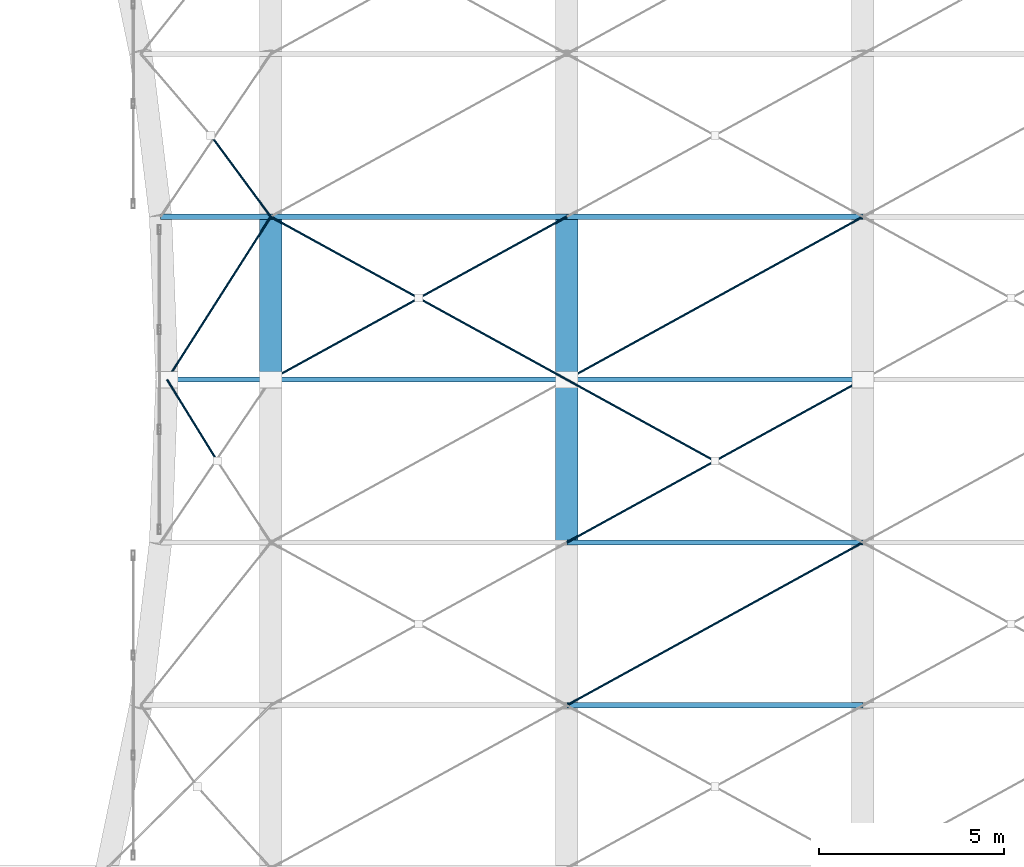
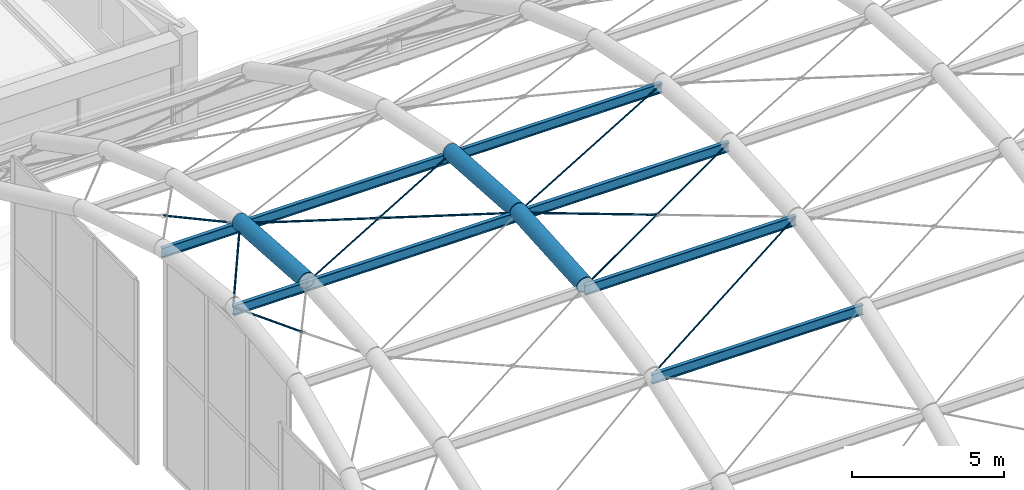
# One storey, part 38 of 126: 11 beams, 10 members.
"""IFC4 building model written with IfcOpenShell, lengths in metres."""

from ifc_helpers import new_model, si_unit, direction, frame, origin, origin_2d, place, context, subcontext, project, spatial, circle, hollow_circle, i_section, extrude, material, material_profile, profile_set, type_object, element, save


model = new_model("IFC4")

# Units and contexts
model_context = context("Model", 3, precision=1e-05, world=origin(), true_north=direction((0.0, 1.0)))
body_context = subcontext(model_context, "Body", "Model", "MODEL_VIEW")
ifc_project = project(units=[si_unit("LENGTHUNIT", "METRE"), si_unit("AREAUNIT", "SQUARE_METRE"), si_unit("VOLUMEUNIT", "CUBIC_METRE"), si_unit("PLANEANGLEUNIT", "RADIAN"), si_unit("MASSUNIT", "GRAM", prefix="KILO")], contexts=[model_context])

# Site, building, storey
site_placement = place(None, origin())
site = spatial("IfcSite", under=ifc_project, at=site_placement, CompositionType="ELEMENT")
building_placement = place(site_placement, origin())
building = spatial("IfcBuilding", under=site, at=building_placement, Name="Varnabhumi Central Station", CompositionType="ELEMENT")
storey_placement = place(building_placement, frame((0.0, 0.0, 16.199951171875)))
storey = spatial("IfcBuildingStorey", under=building, at=storey_placement, Name="L03", CompositionType="ELEMENT", Elevation=16.199951171875)

# Beams
ifc_material_1 = material(Name="Structural steel E450", Category="steel")
ifc_material_profile_1 = material_profile(ifc_material_1, hollow_circle(Radius=0.304931640625, WallThickness=0.02490234375, at=origin_2d()), Name="Structural steel E450", Category="steel")
ifc_profile_set_1 = profile_set([ifc_material_profile_1], Name="Structural steel E450")
beam_type_1 = type_object("IfcBeamType", Name="BM-ARCH-CHS610", PredefinedType="BEAM", material=ifc_profile_set_1)
for number, where, z_axis, x_axis, name in (
    (1, (136.0, 58.0, 10.150146484375), (0.0, 0.997727714155, -0.067375131957), (-1.0, 0.0, 0.0), "Platform Train-Shed Vault Arch Rib 2 Seg 6"),
    (2, (144.0, 53.60009765625, 9.85302734375), (0.0, 0.997727714155, 0.067375131957), (-1.0, 0.0, 0.0), "Platform Train-Shed Vault Arch Rib 3 Seg 5"),
    (3, (144.0, 58.0, 10.150146484375), (0.0, 0.997727714155, -0.067375131957), (-1.0, 0.0, 0.0), "Platform Train-Shed Vault Arch Rib 3 Seg 6"),
):
    element("IfcBeam", number, at=place(storey_placement, frame(where, z_axis=z_axis, x_axis=x_axis)), inside=storey, type_object=beam_type_1, Name=name, PredefinedType="BEAM", context=body_context, shape_type="SweptSolid", body=[
        extrude(hollow_circle(Radius=0.304931640625, WallThickness=0.02490234375, at=origin_2d()), origin(), (0.0, 0.0, 1.0), 4.409912109375),
    ])
ifc_material_2 = material(Name="Structural steel E350", Category="steel")
ifc_material_profile_2 = material_profile(ifc_material_2, i_section(OverallWidth=0.139892578125, OverallDepth=0.39990234375, WebThickness=0.0087890625, FlangeThickness=0.01611328125, FilletRadius=0.013916015625, at=origin_2d()), Name="Structural steel E350", Category="steel")
ifc_profile_set_2 = profile_set([ifc_material_profile_2], Name="Structural steel E350")
beam_type_2 = type_object("IfcBeamType", Name="BM-PUR-ISMB400", PredefinedType="LINTEL", material=ifc_profile_set_2)
beam_1_placement = place(storey_placement, frame((133.199951171875, 58.0, 9.949951171875), z_axis=(1.0, 0.0, 0.0), x_axis=(0.0, 1.0, 0.0)))
element("IfcBeam", 4, at=beam_1_placement, inside=storey, type_object=beam_type_2, Name="Platform Train-Shed Vault Purlin B1-L5", PredefinedType="LINTEL", context=body_context, shape_type="SweptSolid", body=[
    extrude(i_section(OverallWidth=0.139892578125, OverallDepth=0.39990234375, WebThickness=0.0087890625, FlangeThickness=0.01611328125, FilletRadius=0.013916015625, at=origin_2d()), origin(), (0.0, 0.0, 1.0), 2.800048828125),
])
beam_2_placement = place(storey_placement, frame((133.0244140625, 62.39990234375, 9.65283203125), z_axis=(1.0, 0.0, 0.0), x_axis=(0.0, 1.0, 0.0)))
element("IfcBeam", 5, at=beam_2_placement, inside=storey, type_object=beam_type_2, Name="Platform Train-Shed Vault Purlin B1-L6", PredefinedType="LINTEL", context=body_context, shape_type="SweptSolid", body=[
    extrude(i_section(OverallWidth=0.139892578125, OverallDepth=0.39990234375, WebThickness=0.0087890625, FlangeThickness=0.01611328125, FilletRadius=0.013916015625, at=origin_2d()), origin(), (0.0, 0.0, 1.0), 2.9755859375),
])
for number, where, z_axis, x_axis, name in (
    (6, (136.0, 58.0, 9.949951171875), (1.0, 0.0, 0.0), (0.0, 1.0, 0.0), "Platform Train-Shed Vault Purlin B2-L5"),
    (7, (136.0, 62.39990234375, 9.65283203125), (1.0, 0.0, 0.0), (0.0, 1.0, 0.0), "Platform Train-Shed Vault Purlin B2-L6"),
    (8, (144.0, 49.199951171875, 8.7509765625), (1.0, 0.0, 0.0), (0.0, 1.0, 0.0), "Platform Train-Shed Vault Purlin B3-L3"),
    (9, (144.0, 53.60009765625, 9.65283203125), (1.0, 0.0, 0.0), (0.0, 1.0, 0.0), "Platform Train-Shed Vault Purlin B3-L4"),
    (10, (144.0, 58.0, 9.949951171875), (1.0, 0.0, 0.0), (0.0, 1.0, 0.0), "Platform Train-Shed Vault Purlin B3-L5"),
    (11, (144.0, 62.39990234375, 9.65283203125), (1.0, 0.0, 0.0), (0.0, 1.0, 0.0), "Platform Train-Shed Vault Purlin B3-L6"),
):
    element("IfcBeam", number, at=place(storey_placement, frame(where, z_axis=z_axis, x_axis=x_axis)), inside=storey, type_object=beam_type_2, Name=name, PredefinedType="LINTEL", context=body_context, shape_type="SweptSolid", body=[
        extrude(i_section(OverallWidth=0.139892578125, OverallDepth=0.39990234375, WebThickness=0.0087890625, FlangeThickness=0.01611328125, FilletRadius=0.013916015625, at=origin_2d()), origin(), (0.0, 0.0, 1.0), 8.0),
    ])

# Members
ifc_material_3 = material(Name="Spiral-strand steel S1570", Category="steel")
ifc_material_profile_3 = material_profile(ifc_material_3, circle(Radius=0.030029296875, at=origin_2d()), Name="Spiral-strand steel S1570", Category="steel")
ifc_profile_set_3 = profile_set([ifc_material_profile_3], Name="Spiral-strand steel S1570")
member_type = type_object("IfcMemberType", Name="MBR-CABLE-D60", PredefinedType="USERDEFINED", material=ifc_profile_set_3)
member_1_placement = place(storey_placement, frame((133.199951171875, 58.0, 10.070068359375), z_axis=(0.523900363856, -0.849840896256, -0.057435701456), x_axis=(0.851246126943, 0.524766644675, 0.0)))
element("IfcMember", 12, at=member_1_placement, inside=storey, type_object=member_type, Name="Platform Train-Shed Vault Cable-Net Split Tie B1-P5B1", ObjectType="TENSION CABLE", PredefinedType="USERDEFINED", context=body_context, shape_type="SweptSolid", body=[
    extrude(circle(Radius=0.030029296875, at=origin_2d()), origin(), (0.0, 0.0, 1.0), 2.588623046875),
])
member_2_placement = place(storey_placement, frame((133.199951171875, 58.0, 10.070068359375), z_axis=(0.536021472852, 0.842286074091, -0.056878379324), x_axis=(-0.843651849763, 0.536890637273, 0.0)))
element("IfcMember", 13, at=member_2_placement, inside=storey, type_object=member_type, Name="Platform Train-Shed Vault Cable-Net Tie B1-P6A", ObjectType="TENSION CABLE", PredefinedType="USERDEFINED", context=body_context, shape_type="SweptSolid", body=[
    extrude(circle(Radius=0.030029296875, at=origin_2d()), origin(), (0.0, 0.0, 1.0), 5.223876953125),
])
member_3_placement = place(storey_placement, frame((134.37890625, 64.60009765625, 9.322021484375), z_axis=(0.585261379575, -0.79433366758, 0.162797856638), x_axis=(0.805073799921, 0.593174659507, 0.0)))
element("IfcMember", 14, at=member_3_placement, inside=storey, type_object=member_type, Name="Platform Train-Shed Vault Cable-Net Split Tie B1-P7B2", ObjectType="TENSION CABLE", PredefinedType="USERDEFINED", context=body_context, shape_type="SweptSolid", body=[
    extrude(circle(Radius=0.030029296875, at=origin_2d()), origin(), (0.0, 0.0, 1.0), 2.769775390625),
])
member_4_placement = place(storey_placement, frame((136.0, 58.0, 10.070068359375), z_axis=(0.875756821788, 0.481655561592, -0.032525514286), x_axis=(-0.481910537812, 0.876220425204, 0.0)))
element("IfcMember", 15, at=member_4_placement, inside=storey, type_object=member_type, Name="Platform Train-Shed Vault Cable-Net Tie B2-P6A", ObjectType="TENSION CABLE", PredefinedType="USERDEFINED", context=body_context, shape_type="SweptSolid", body=[
    extrude(circle(Radius=0.030029296875, at=origin_2d()), origin(), (0.0, 0.0, 1.0), 9.135009765625),
])
for number, where, z_axis, x_axis, name in (
    (16, (136.0, 62.39990234375, 9.77294921875), (0.87575758275, -0.481655980113, 0.032498816547), (0.481910537812, 0.876220425204, 0.0), "Platform Train-Shed Vault Cable-Net Split Tie B2-P6B1"),
    (17, (140.0, 60.199951171875, 9.92138671875), (0.875756060201, -0.481655142729, 0.032552211955), (0.481910537812, 0.876220425204, 0.0), "Platform Train-Shed Vault Cable-Net Split Tie B2-P6B2"),
):
    element("IfcMember", number, at=place(storey_placement, frame(where, z_axis=z_axis, x_axis=x_axis)), inside=storey, type_object=member_type, Name=name, ObjectType="TENSION CABLE", PredefinedType="USERDEFINED", context=body_context, shape_type="SweptSolid", body=[
        extrude(circle(Radius=0.030029296875, at=origin_2d()), origin(), (0.0, 0.0, 1.0), 4.5673828125),
    ])
member_5_placement = place(storey_placement, frame((144.0, 49.199951171875, 8.870849609375), z_axis=(0.871963360953, 0.47959581465, 0.098324725913), x_axis=(-0.481931067474, 0.876209133828, 0.0)))
element("IfcMember", 18, at=member_5_placement, inside=storey, type_object=member_type, Name="Platform Train-Shed Vault Cable-Net Tie B3-P4A", ObjectType="TENSION CABLE", PredefinedType="USERDEFINED", context=body_context, shape_type="SweptSolid", body=[
    extrude(circle(Radius=0.030029296875, at=origin_2d()), origin(), (0.0, 0.0, 1.0), 9.1748046875),
])
member_6_placement = place(storey_placement, frame((144.0, 53.60009765625, 9.77294921875), z_axis=(0.875756821788, 0.481655561592, 0.032525514286), x_axis=(-0.481910537812, 0.876220425204, 0.0)))
element("IfcMember", 19, at=member_6_placement, inside=storey, type_object=member_type, Name="Platform Train-Shed Vault Cable-Net Tie B3-P5A", ObjectType="TENSION CABLE", PredefinedType="USERDEFINED", context=body_context, shape_type="SweptSolid", body=[
    extrude(circle(Radius=0.030029296875, at=origin_2d()), origin(), (0.0, 0.0, 1.0), 9.135009765625),
])
member_7_placement = place(storey_placement, frame((144.0, 58.0, 10.070068359375), z_axis=(0.875756060201, -0.481655142729, -0.032552211955), x_axis=(0.481910537812, 0.876220425204, 0.0)))
element("IfcMember", 20, at=member_7_placement, inside=storey, type_object=member_type, Name="Platform Train-Shed Vault Cable-Net Split Tie B3-P5B1", ObjectType="TENSION CABLE", PredefinedType="USERDEFINED", context=body_context, shape_type="SweptSolid", body=[
    extrude(circle(Radius=0.030029296875, at=origin_2d()), origin(), (0.0, 0.0, 1.0), 4.5673828125),
])
member_8_placement = place(storey_placement, frame((144.0, 58.0, 10.070068359375), z_axis=(0.875756821788, 0.481655561592, -0.032525514286), x_axis=(-0.481910537812, 0.876220425204, 0.0)))
element("IfcMember", 21, at=member_8_placement, inside=storey, type_object=member_type, Name="Platform Train-Shed Vault Cable-Net Tie B3-P6A", ObjectType="TENSION CABLE", PredefinedType="USERDEFINED", context=body_context, shape_type="SweptSolid", body=[
    extrude(circle(Radius=0.030029296875, at=origin_2d()), origin(), (0.0, 0.0, 1.0), 9.135009765625),
])

save(model, "model.ifc")
